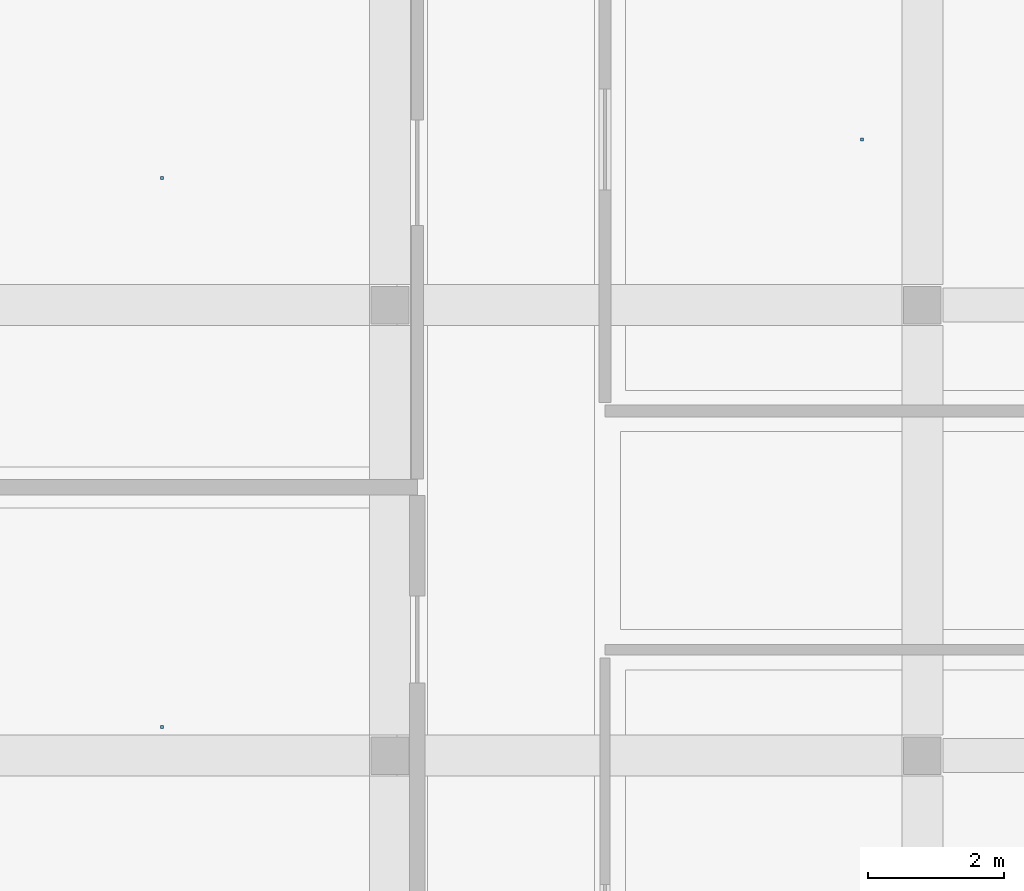
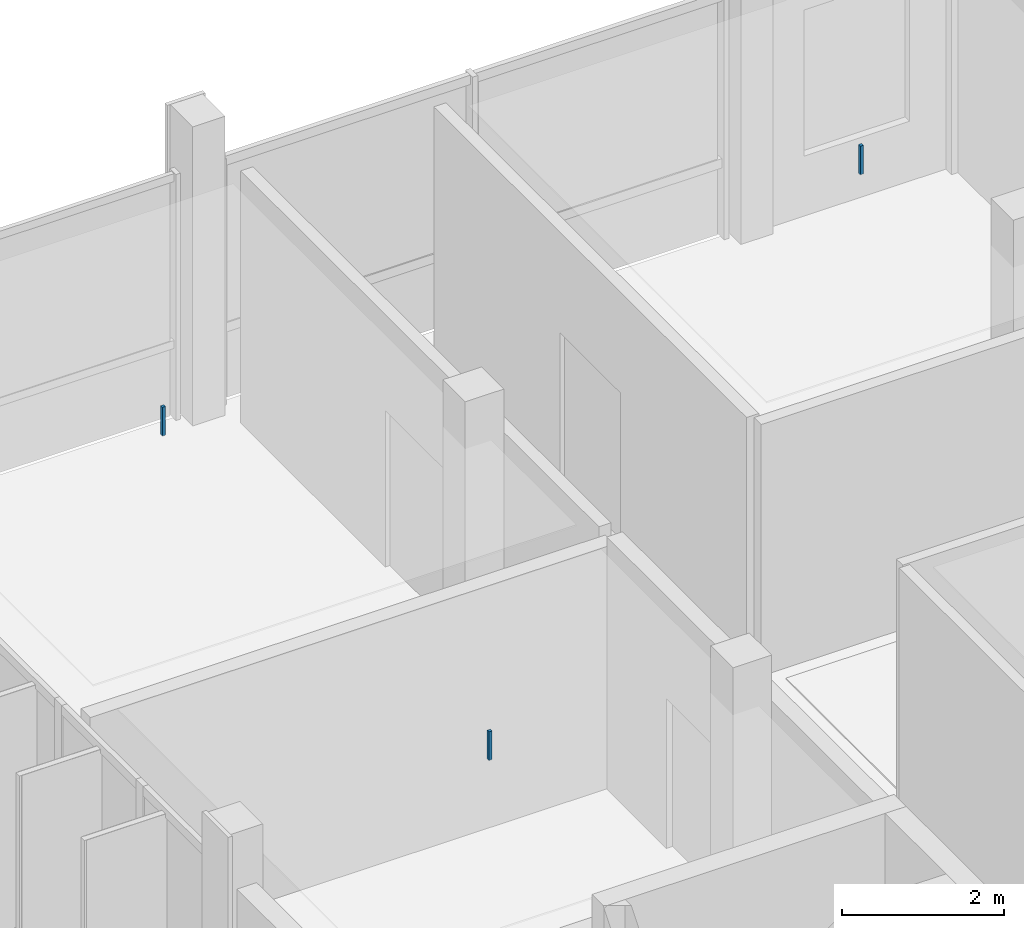
# One storey, part 73 of 95: 3 discrete accessories.
"""IFC4 building model written with IfcOpenShell, lengths in metres."""

from ifc_helpers import new_model, si_unit, derived_unit, direction, frame, origin, origin_2d, place, context, subcontext, project, spatial, rectangle, extrude, material, type_object, element, save


model = new_model("IFC4")

# Units and contexts
model_context = context("Model", 3, precision=1e-05, world=origin(), true_north=direction((0.0, 1.0)))
body_context = subcontext(model_context, "Body", "Model", "MODEL_VIEW")
ifc_project = project(units=[si_unit("LENGTHUNIT", "METRE"), si_unit("AREAUNIT", "SQUARE_METRE"), si_unit("VOLUMEUNIT", "CUBIC_METRE"), si_unit("PLANEANGLEUNIT", "RADIAN"), si_unit("MASSUNIT", "GRAM", prefix="KILO"), derived_unit("THERMALTRANSMITTANCEUNIT", [(si_unit("POWERUNIT", "WATT"), 1), (si_unit("LENGTHUNIT", "METRE"), -2), (si_unit("THERMODYNAMICTEMPERATUREUNIT", "KELVIN"), -1)])], contexts=[model_context])

# Site, building, storey
site_placement = place(None, origin())
site = spatial("IfcSite", under=ifc_project, at=site_placement, CompositionType="ELEMENT")
building_placement = place(site_placement, origin())
building = spatial("IfcBuilding", under=site, at=building_placement, Name="Braskholm Square Health Centre", CompositionType="ELEMENT")
storey_placement = place(building_placement, frame((0.0, 0.0, 4.800048828125)))
storey = spatial("IfcBuildingStorey", under=building, at=storey_placement, Name="L02", CompositionType="ELEMENT", Elevation=4.800048828125)

# Discrete accessories
ifc_material = material(Name="Steel ASTM A500 Grade C", Category="steel")
discrete_accessory_type = type_object("IfcDiscreteAccessoryType", Name="CeilingSuspensionBracket", PredefinedType="BRACKET", material=ifc_material)
for number, where, z_axis, x_axis, name in (
    (1, (8.06005859375, 100.81494140625, 3.7822265625), (0.0, 0.0, 1.0), (1.0, 0.0, 0.0), "Ceiling hanger bracket 0033"),
    (2, (8.06005859375, 108.864990234375, 3.7822265625), (0.0, 0.0, 1.0), (1.0, 0.0, 0.0), "Ceiling hanger bracket 0034"),
    (3, (18.31494140625, 109.425048828125, 3.7822265625), (0.0, 0.0, 1.0), (1.0, 0.0, 0.0), "Ceiling hanger bracket 0041"),
):
    element("IfcDiscreteAccessory", number, at=place(storey_placement, frame(where, z_axis=z_axis, x_axis=x_axis)), inside=storey, type_object=discrete_accessory_type, Name=name, PredefinedType="BRACKET", context=body_context, shape_type="SweptSolid", body=[
        extrude(rectangle(XDim=0.044921875, YDim=0.044921875, at=origin_2d()), origin(), (0.0, 0.0, 1.0), 0.429931640625),
    ])

save(model, "model.ifc")
